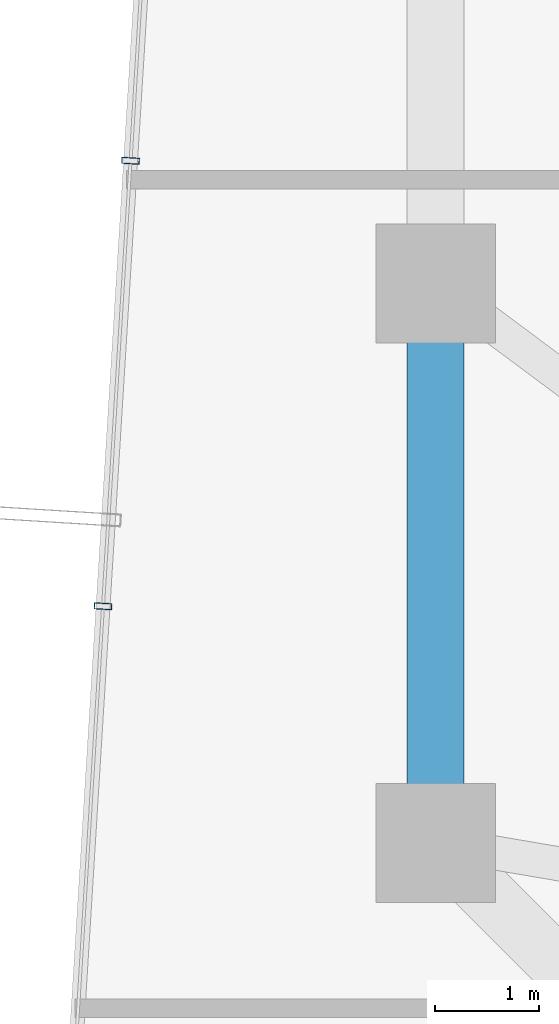
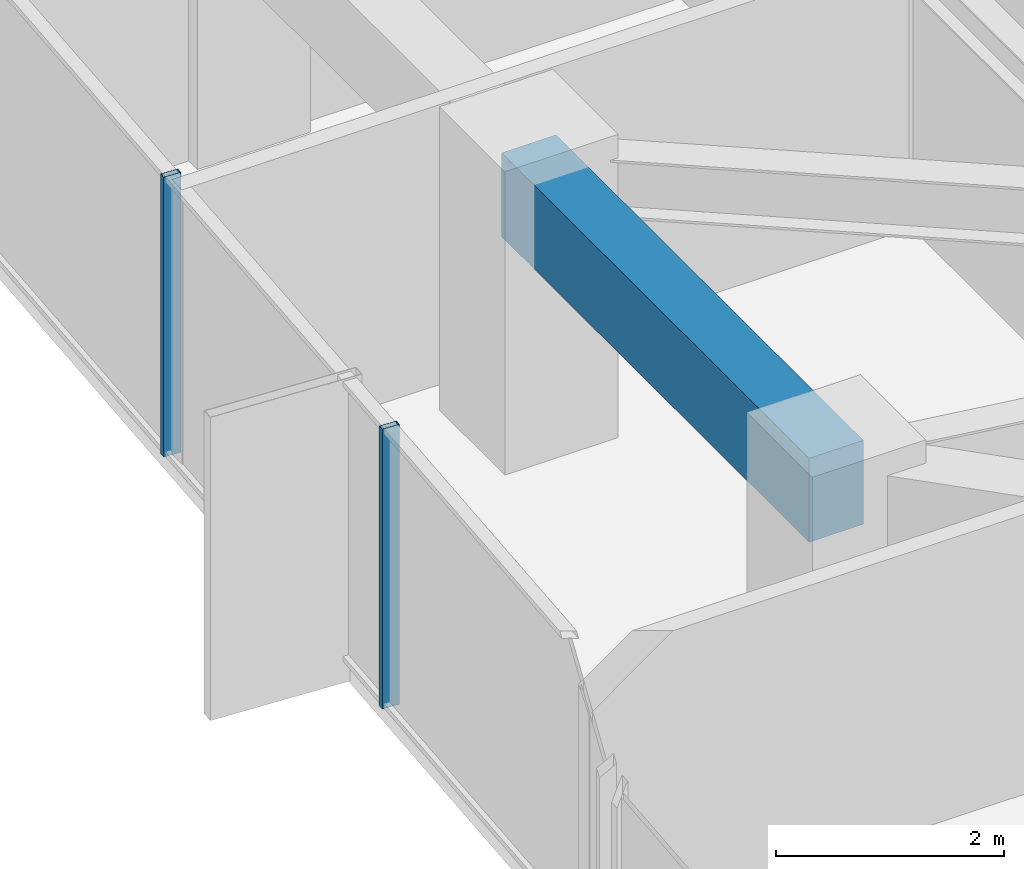
# One storey, part 8 of 30: 2 members, 1 beam, 1 element without a shape of its own.
"""IFC4 building model written with IfcOpenShell, lengths in metres."""

from ifc_helpers import new_model, si_unit, direction, frame, origin, origin_2d, place, context, subcontext, project, spatial, rectangle, hollow_rectangle, extrude, source, transform, mapped, material, layer, layer_set, material_profile, profile_set, type_object, element, aggregate, save


model = new_model("IFC4")

# Units and contexts
model_context = context("Model", 3, precision=1e-05, world=origin(), true_north=direction((0.0, 1.0)))
body_context = subcontext(model_context, "Body", "Model", "MODEL_VIEW")
ifc_project = project(units=[si_unit("LENGTHUNIT", "METRE"), si_unit("AREAUNIT", "SQUARE_METRE"), si_unit("VOLUMEUNIT", "CUBIC_METRE"), si_unit("PLANEANGLEUNIT", "RADIAN"), si_unit("MASSUNIT", "GRAM", prefix="KILO")], contexts=[model_context])

# Site, building, storey
site_placement = place(None, origin())
site = spatial("IfcSite", under=ifc_project, at=site_placement, CompositionType="ELEMENT")
building_placement = place(site_placement, origin())
building = spatial("IfcBuilding", under=site, at=building_placement, Name="Veraguas Prism Commons", CompositionType="ELEMENT")
storey_placement = place(building_placement, frame((0.0, 0.0, 116.5)))
storey = spatial("IfcBuildingStorey", under=building, at=storey_placement, Name="L32", CompositionType="ELEMENT", Elevation=116.5)

# Beam
ifc_material_1 = material(Name="Concrete C50/60", Category="concrete")
ifc_material_profile_1 = material_profile(ifc_material_1, rectangle(XDim=0.550048828125, YDim=0.89990234375, at=origin_2d()), Name="RC550X900")
ifc_profile_set_1 = profile_set([ifc_material_profile_1], Name="Concrete C50/60")
beam_type = type_object("IfcBeamType", Name="Perimeter Spandrel Lower RC 550x900", PredefinedType="SPANDREL", material=ifc_profile_set_1)
beam_placement = place(storey_placement, frame((7.800048828125, 24.0, 2.550048828125), z_axis=(0.0, -1.0, 0.0), x_axis=(1.0, 0.0, 0.0)))
element("IfcBeam", 1, at=beam_placement, inside=storey, type_object=beam_type, Name="Perimeter Spandrel Beam L32-SP08", PredefinedType="SPANDREL", context=body_context, shape_type="SweptSolid", body=[
    extrude(rectangle(XDim=0.550048828125, YDim=0.89990234375, at=origin_2d()), origin(), (0.0, 0.0, 1.0), 5.39990234375),
])

# Curtain wall, members
ifc_material_2 = material(Name="Anodised aluminium EN AW-6063 T6", Category="aluminium")
ifc_layer = layer(ifc_material_2, 0.169921875, Name="Unitised Flush Curtain Wall Zone 2", Category="aluminium")
ifc_layer_set = layer_set([ifc_layer], Name="Anodised aluminium EN AW-6063 T6")
curtain_wall_type = type_object("IfcCurtainWallType", Name="Unitised Flush Curtain Wall Zone 2", PredefinedType="NOTDEFINED", material=ifc_layer_set)
curtain_wall_placement = place(storey_placement, origin())
curtain_wall = element("IfcCurtainWall", 2, at=curtain_wall_placement, inside=storey, type_object=curtain_wall_type, Name="Tower Facade Curtain Wall L32-F3", PredefinedType="NOTDEFINED")
ifc_material_profile_2 = material_profile(ifc_material_2, hollow_rectangle(XDim=0.06005859375, YDim=0.169921875, WallThickness=0.00390625, at=origin_2d()), Name="AL60X170X4")
ifc_profile_set_2 = profile_set([ifc_material_profile_2], Name="Anodised aluminium EN AW-6063 T6")
member_type = type_object("IfcMemberType", Name="Curtain Wall Mullion Lower AL 60x170x4", PredefinedType="MULLION", material=ifc_profile_set_2)
shared_shape = source(origin(), body_context, "Body", "SweptSolid", [
    extrude(hollow_rectangle(XDim=0.06005859375, YDim=0.169921875, WallThickness=0.00390625, at=origin_2d()), origin(), (0.0, 0.0, 1.0), 3.0),
])
member_1_placement = place(storey_placement, frame((4.854248046875, 25.1845703125, 0.0), z_axis=(0.0, 0.0, 1.0), x_axis=(-0.061743612146, -0.99809204303, 0.0)))
member_1 = element("IfcMember", 3, at=member_1_placement, type_object=member_type, Name="CW-Z2 Mullion 3", PredefinedType="MULLION", context=body_context, shape_type="MappedRepresentation", body=[
    mapped(shared_shape, transform((0.0, 0.0, 0.0), scale=1.0)),
])
member_2_placement = place(storey_placement, frame((4.588134765625, 20.884033203125, 0.0), z_axis=(0.0, 0.0, 1.0), x_axis=(-0.061743612146, -0.99809204303, 0.0)))
member_2 = element("IfcMember", 4, at=member_2_placement, type_object=member_type, Name="CW-Z2 Mullion 4", PredefinedType="MULLION", context=body_context, shape_type="MappedRepresentation", body=[
    mapped(shared_shape, transform((0.0, 0.0, 0.0), scale=1.0)),
])
aggregate(curtain_wall, [member_1, member_2])

save(model, "model.ifc")
